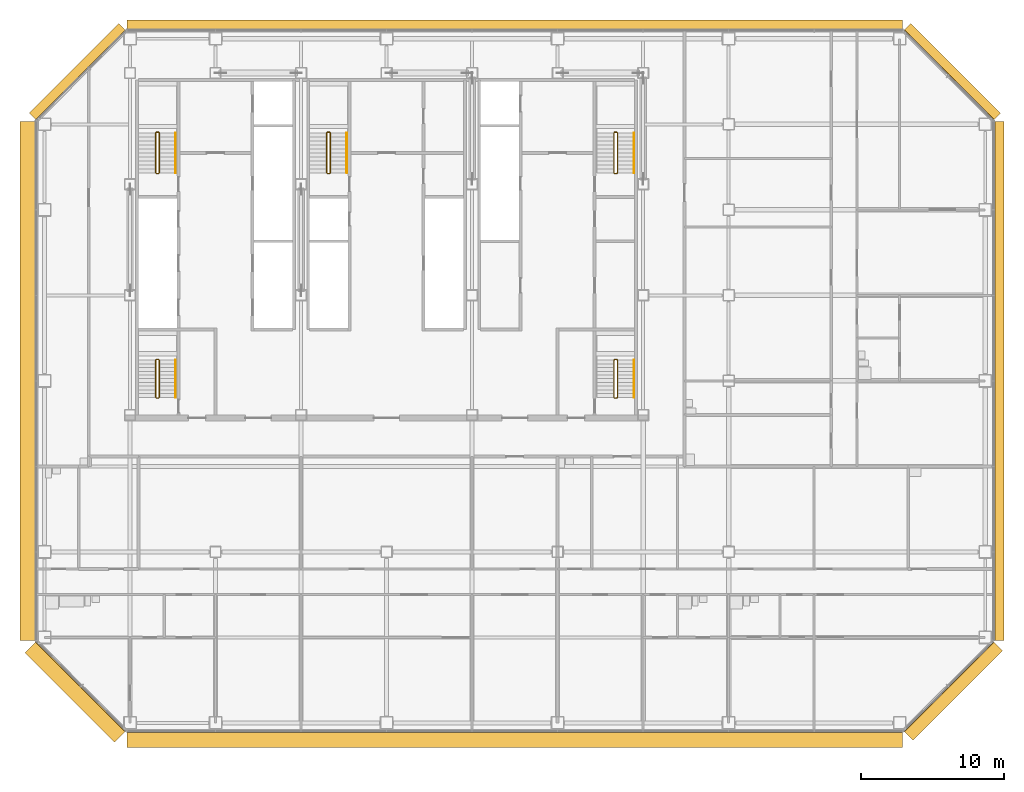
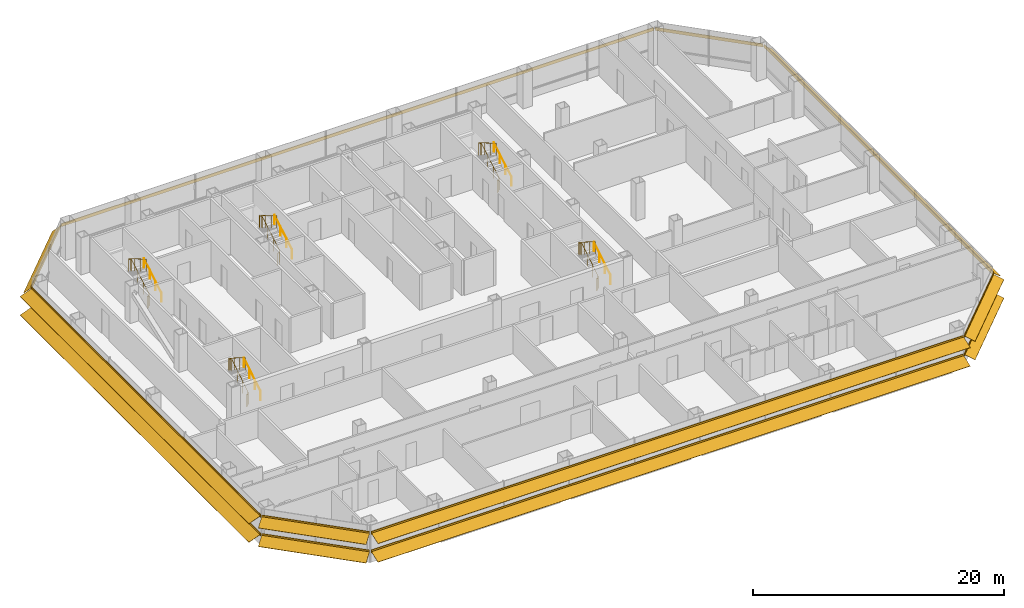
# One storey, part 26 of 27: 10 railings, 8 shading devices.
"""IFC4 building model written with IfcOpenShell, lengths in metres."""

from ifc_helpers import new_model, si_unit, direction, frame, origin, origin_2d, place, context, subcontext, project, spatial, polyline, circle, outline, composite_profile, extrude, material, type_object, element, save


model = new_model("IFC4")

# Units and contexts
model_context = context("Model", 3, precision=1e-05, world=origin(), true_north=direction((0.0, 1.0)))
body_context = subcontext(model_context, "Body", "Model", "MODEL_VIEW")
ifc_project = project(units=[si_unit("LENGTHUNIT", "METRE"), si_unit("AREAUNIT", "SQUARE_METRE"), si_unit("VOLUMEUNIT", "CUBIC_METRE"), si_unit("PLANEANGLEUNIT", "RADIAN"), si_unit("MASSUNIT", "GRAM", prefix="KILO")], contexts=[model_context])

# Site, building, storey
site_placement = place(None, origin())
site = spatial("IfcSite", under=ifc_project, at=site_placement, CompositionType="ELEMENT")
building_placement = place(site_placement, origin())
building = spatial("IfcBuilding", under=site, at=building_placement, Name="Sorahane Residences", CompositionType="ELEMENT")
storey_placement = place(building_placement, frame((0.0, 0.0, 49.800048828125)))
storey = spatial("IfcBuildingStorey", under=building, at=storey_placement, Name="L08", CompositionType="ELEMENT", Elevation=49.800048828125)

# Shading devices
ifc_material_1 = material(Name="Terracotta anodised aluminium", Category="masonry")
shading_device_type_1 = type_object("IfcShadingDeviceType", Name="Louvre sunshade blade E terracotta aluminium 700", PredefinedType="JALOUSIE", material=ifc_material_1)
shading_device_1_placement = place(storey_placement, frame((66.60009765625, 5.801513671875, 2.699951171875), z_axis=(0.0, 1.0, 0.0), x_axis=(-1.0, 0.0, 0.0)))
element("IfcShadingDevice", 1, at=shading_device_1_placement, inside=storey, type_object=shading_device_type_1, Name="Louvre sunshade blade bank E L08 E1", PredefinedType="JALOUSIE", context=body_context, shape_type="SweptSolid", body=[
    extrude(outline(polyline([(-0.719970703125, -0.49365234375), (-0.719970703125, -0.523681640625), (-0.080078125, -0.05859375), (-0.080078125, -0.14990234375), (-0.02001953125, -0.14990234375), (-0.02001953125, -0.014892578125), (-0.02001953125, 0.014892578125), (-0.02001953125, 0.14990234375), (-0.080078125, 0.14990234375), (-0.080078125, -0.028564453125), (-0.719970703125, -0.49365234375)])), origin(), (0.0, 0.0, 1.0), 36.39697265625),
])
ifc_material_2 = material(Name="Terracotta anodised aluminium", Category="masonry")
shading_device_type_2 = type_object("IfcShadingDeviceType", Name="Louvre sunshade blade N terracotta aluminium 700", PredefinedType="JALOUSIE", material=ifc_material_2)
shading_device_2_placement = place(storey_placement, frame((60.198486328125, 48.60009765625, 2.699951171875), z_axis=(-1.0, 0.0, 0.0), x_axis=(0.0, -1.0, 0.0)))
element("IfcShadingDevice", 2, at=shading_device_2_placement, inside=storey, type_object=shading_device_type_2, Name="Louvre sunshade blade bank N L08 N1", PredefinedType="JALOUSIE", context=body_context, shape_type="SweptSolid", body=[
    extrude(outline(polyline([(-0.719970703125, -0.660888671875), (-0.719970703125, -0.69091796875), (-0.080078125, -0.072998046875), (-0.080078125, -0.14990234375), (-0.02001953125, -0.14990234375), (-0.02001953125, -0.014892578125), (-0.02001953125, 0.014892578125), (-0.02001953125, 0.14990234375), (-0.080078125, 0.14990234375), (-0.080078125, -0.04296875), (-0.719970703125, -0.660888671875)])), origin(), (0.0, 0.0, 1.0), 54.39697265625),
])
ifc_material_3 = material(Name="Terracotta anodised aluminium", Category="masonry")
shading_device_type_3 = type_object("IfcShadingDeviceType", Name="Louvre sunshade blade NE terracotta aluminium 700", PredefinedType="JALOUSIE", material=ifc_material_3)
shading_device_3_placement = place(storey_placement, frame((66.564697265625, 42.283935546875, 2.699951171875), z_axis=(-0.707106781187, 0.707106781187, 0.0), x_axis=(-0.707106781187, -0.707106781187, 0.0)))
element("IfcShadingDevice", 3, at=shading_device_3_placement, inside=storey, type_object=shading_device_type_3, Name="Louvre sunshade blade bank NE L08 NE1", PredefinedType="JALOUSIE", context=body_context, shape_type="SweptSolid", body=[
    extrude(outline(polyline([(-0.719970703125, -0.572509765625), (-0.719970703125, -0.602294921875), (-0.080078125, -0.065185546875), (-0.080078125, -0.14990234375), (-0.02001953125, -0.14990234375), (-0.02001953125, -0.014892578125), (-0.02001953125, 0.014892578125), (-0.02001953125, 0.14990234375), (-0.080078125, 0.14990234375), (-0.080078125, -0.035400390625), (-0.719970703125, -0.572509765625)])), origin(), (0.0, 0.0, 1.0), 8.88232421875),
])
ifc_material_4 = material(Name="Terracotta anodised aluminium", Category="masonry")
shading_device_type_4 = type_object("IfcShadingDeviceType", Name="Louvre sunshade blade NW terracotta aluminium 700", PredefinedType="JALOUSIE", material=ifc_material_4)
shading_device_4_placement = place(storey_placement, frame((5.716064453125, 48.564697265625, 2.699951171875), z_axis=(-0.707106781187, -0.707106781187, 0.0), x_axis=(0.707106781187, -0.707106781187, 0.0)))
element("IfcShadingDevice", 4, at=shading_device_4_placement, inside=storey, type_object=shading_device_type_4, Name="Louvre sunshade blade bank NW L08 NW1", PredefinedType="JALOUSIE", context=body_context, shape_type="SweptSolid", body=[
    extrude(outline(polyline([(-0.719970703125, -0.660888671875), (-0.719970703125, -0.69091796875), (-0.080078125, -0.072998046875), (-0.080078125, -0.14990234375), (-0.02001953125, -0.14990234375), (-0.02001953125, -0.014892578125), (-0.02001953125, 0.014892578125), (-0.02001953125, 0.14990234375), (-0.080078125, 0.14990234375), (-0.080078125, -0.04296875), (-0.719970703125, -0.660888671875)])), origin(), (0.0, 0.0, 1.0), 8.88232421875),
])
ifc_material_5 = material(Name="Terracotta anodised aluminium", Category="masonry")
shading_device_type_5 = type_object("IfcShadingDeviceType", Name="Louvre sunshade blade S terracotta aluminium 1100", PredefinedType="JALOUSIE", material=ifc_material_5)
shading_device_5_placement = place(storey_placement, frame((5.801513671875, -0.60009765625, 0.89990234375), z_axis=(1.0, 0.0, 0.0), x_axis=(0.0, 1.0, 0.0)))
element("IfcShadingDevice", 5, at=shading_device_5_placement, inside=storey, type_object=shading_device_type_5, Name="Louvre sunshade blade bank S L08 S1", PredefinedType="JALOUSIE", context=body_context, shape_type="SweptSolid", body=[
    extrude(composite_profile([outline(polyline([(-1.1201171875, -0.385498046875), (-1.1201171875, -0.415283203125), (-0.080078125, -0.036865234375), (-0.080078125, -0.14990234375), (-0.02001953125, -0.14990234375), (-0.02001953125, -0.014892578125), (-0.02001953125, 0.014892578125), (-0.02001953125, 0.14990234375), (-0.080078125, 0.14990234375), (-0.080078125, -0.0068359375), (-1.1201171875, -0.385498046875)])), outline(polyline([(-1.1201171875, 1.41455078125), (-1.1201171875, 1.384521484375), (-0.080078125, 1.76318359375), (-0.080078125, 1.64990234375), (-0.02001953125, 1.64990234375), (-0.02001953125, 1.784912109375), (-0.02001953125, 1.81494140625), (-0.02001953125, 1.949951171875), (-0.080078125, 1.949951171875), (-0.080078125, 1.793212890625), (-1.1201171875, 1.41455078125)]))]), origin(), (0.0, 0.0, 1.0), 54.39697265625),
])
ifc_material_6 = material(Name="Terracotta anodised aluminium", Category="masonry")
shading_device_type_6 = type_object("IfcShadingDeviceType", Name="Louvre sunshade blade SE terracotta aluminium 900", PredefinedType="JALOUSIE", material=ifc_material_6)
shading_device_6_placement = place(storey_placement, frame((60.283935546875, -0.564697265625, 0.89990234375), z_axis=(0.707106781187, 0.707106781187, 0.0), x_axis=(-0.707106781187, 0.707106781187, 0.0)))
element("IfcShadingDevice", 6, at=shading_device_6_placement, inside=storey, type_object=shading_device_type_6, Name="Louvre sunshade blade bank SE L08 SE1", PredefinedType="JALOUSIE", context=body_context, shape_type="SweptSolid", body=[
    extrude(composite_profile([outline(polyline([(-0.919921875, -0.3486328125), (-0.919921875, -0.378662109375), (-0.080078125, -0.039306640625), (-0.080078125, -0.14990234375), (-0.02001953125, -0.14990234375), (-0.02001953125, -0.014892578125), (-0.02001953125, 0.014892578125), (-0.02001953125, 0.14990234375), (-0.080078125, 0.14990234375), (-0.080078125, -0.00927734375), (-0.919921875, -0.3486328125)])), outline(polyline([(-0.919921875, 1.451416015625), (-0.919921875, 1.42138671875), (-0.080078125, 1.7607421875), (-0.080078125, 1.64990234375), (-0.02001953125, 1.64990234375), (-0.02001953125, 1.784912109375), (-0.02001953125, 1.81494140625), (-0.02001953125, 1.949951171875), (-0.080078125, 1.949951171875), (-0.080078125, 1.790771484375), (-0.919921875, 1.451416015625)]))]), origin(), (0.0, 0.0, 1.0), 8.88232421875),
])
ifc_material_7 = material(Name="Terracotta anodised aluminium", Category="masonry")
shading_device_type_7 = type_object("IfcShadingDeviceType", Name="Louvre sunshade blade SW terracotta aluminium 1100", PredefinedType="JALOUSIE", material=ifc_material_7)
shading_device_7_placement = place(storey_placement, frame((-0.564697265625, 5.716064453125, 0.89990234375), z_axis=(0.707106781187, -0.707106781187, 0.0), x_axis=(0.707106781187, 0.707106781187, 0.0)))
element("IfcShadingDevice", 7, at=shading_device_7_placement, inside=storey, type_object=shading_device_type_7, Name="Louvre sunshade blade bank SW L08 SW1", PredefinedType="JALOUSIE", context=body_context, shape_type="SweptSolid", body=[
    extrude(composite_profile([outline(polyline([(-1.1201171875, -0.385498046875), (-1.1201171875, -0.415283203125), (-0.080078125, -0.036865234375), (-0.080078125, -0.14990234375), (-0.02001953125, -0.14990234375), (-0.02001953125, -0.014892578125), (-0.02001953125, 0.014892578125), (-0.02001953125, 0.14990234375), (-0.080078125, 0.14990234375), (-0.080078125, -0.0068359375), (-1.1201171875, -0.385498046875)])), outline(polyline([(-1.1201171875, 1.41455078125), (-1.1201171875, 1.384521484375), (-0.080078125, 1.76318359375), (-0.080078125, 1.64990234375), (-0.02001953125, 1.64990234375), (-0.02001953125, 1.784912109375), (-0.02001953125, 1.81494140625), (-0.02001953125, 1.949951171875), (-0.080078125, 1.949951171875), (-0.080078125, 1.793212890625), (-1.1201171875, 1.41455078125)]))]), origin(), (0.0, 0.0, 1.0), 8.88232421875),
])
ifc_material_8 = material(Name="Terracotta anodised aluminium", Category="masonry")
shading_device_type_8 = type_object("IfcShadingDeviceType", Name="Louvre sunshade blade W terracotta aluminium 1100", PredefinedType="JALOUSIE", material=ifc_material_8)
shading_device_8_placement = place(storey_placement, frame((-0.60009765625, 42.198486328125, 0.89990234375), z_axis=(0.0, -1.0, 0.0), x_axis=(1.0, 0.0, 0.0)))
element("IfcShadingDevice", 8, at=shading_device_8_placement, inside=storey, type_object=shading_device_type_8, Name="Louvre sunshade blade bank W L08 W1", PredefinedType="JALOUSIE", context=body_context, shape_type="SweptSolid", body=[
    extrude(composite_profile([outline(polyline([(-1.1201171875, -0.385498046875), (-1.1201171875, -0.415283203125), (-0.080078125, -0.036865234375), (-0.080078125, -0.14990234375), (-0.02001953125, -0.14990234375), (-0.02001953125, -0.014892578125), (-0.02001953125, 0.014892578125), (-0.02001953125, 0.14990234375), (-0.080078125, 0.14990234375), (-0.080078125, -0.0068359375), (-1.1201171875, -0.385498046875)])), outline(polyline([(-1.1201171875, 1.41455078125), (-1.1201171875, 1.384521484375), (-0.080078125, 1.76318359375), (-0.080078125, 1.64990234375), (-0.02001953125, 1.64990234375), (-0.02001953125, 1.784912109375), (-0.02001953125, 1.81494140625), (-0.02001953125, 1.949951171875), (-0.080078125, 1.949951171875), (-0.080078125, 1.793212890625), (-1.1201171875, 1.41455078125)]))]), origin(), (0.0, 0.0, 1.0), 36.39697265625),
])

# Railings
ifc_material_9 = material(Name="Steel Q355B", Category="steel")
railing_type_1 = type_object("IfcRailingType", Name="Stair guard 1200 Steel Q355B", PredefinedType="GUARDRAIL", material=ifc_material_9)
railing_1_placement = place(storey_placement, frame((7.85009765625, 38.550048828125, 0.0)))
element("IfcRailing", 9, at=railing_1_placement, inside=storey, type_object=railing_type_1, Name="L08 S1 stair guard 1", PredefinedType="GUARDRAIL", context=body_context, shape_type="SweptSolid", body=[
    extrude(circle(Radius=0.02392578125, at=origin_2d()), frame((0.0, 0.0, 1.17578125), z_axis=(1.0, 0.0, 0.0), x_axis=(0.0, 1.0, 0.0)), (0.0, 0.0, 1.0), 0.14990234375),
    extrude(circle(Radius=0.02392578125, at=origin_2d()), frame((0.14990234375, 0.0, 1.17578125), z_axis=(0.280808744504, 0.280808744504, 0.917765164963), x_axis=(-0.707106781187, 0.707106781187, 0.0)), (0.0, 0.0, 1.0), 0.17822265625),
    extrude(circle(Radius=0.02392578125, at=origin_2d()), frame((0.199951171875, 0.050048828125, 1.33935546875), z_axis=(0.0, 0.863341702679, 0.504619762213), x_axis=(-1.0, 0.0, 0.0)), (0.0, 0.0, 1.0), 3.242919921875),
    extrude(circle(Radius=0.02392578125, at=origin_2d()), frame((0.199951171875, 2.849853515625, 2.97607421875), z_axis=(-0.707106781187, 0.707106781187, 0.0), x_axis=(-0.707106781187, -0.707106781187, 0.0)), (0.0, 0.0, 1.0), 0.07080078125),
    extrude(circle(Radius=0.02392578125, at=origin_2d()), frame((0.14990234375, 2.89990234375, 2.97607421875), z_axis=(-1.0, 0.0, 0.0), x_axis=(0.0, -1.0, 0.0)), (0.0, 0.0, 1.0), 0.14990234375),
    extrude(circle(Radius=0.02392578125, at=origin_2d()), frame((0.0, 2.89990234375, 2.97607421875), z_axis=(-0.280808744504, -0.280808744504, 0.917765164963), x_axis=(0.707106781187, -0.707106781187, 0.0)), (0.0, 0.0, 1.0), 0.17822265625),
    extrude(circle(Radius=0.02392578125, at=origin_2d()), frame((-0.050048828125, 2.849853515625, 3.1396484375), z_axis=(0.0, -0.863374499697, 0.504563646405), x_axis=(1.0, 0.0, 0.0)), (0.0, 0.0, 1.0), 3.242919921875),
    extrude(circle(Radius=0.02099609375, at=origin_2d()), origin(), (0.0, 0.0, 1.0), 1.15185546875),
    extrude(circle(Radius=0.02099609375, at=origin_2d()), frame((0.14990234375, 0.0, 0.0)), (0.0, 0.0, 1.0), 1.15185546875),
    extrude(circle(Radius=0.02099609375, at=origin_2d()), frame((0.199951171875, 0.050048828125, 0.16357421875)), (0.0, 0.0, 1.0), 1.15185546875),
    extrude(circle(Radius=0.02099609375, at=origin_2d()), frame((0.199951171875, 0.9833984375, 0.708984375)), (0.0, 0.0, 1.0), 1.15185546875),
    extrude(circle(Radius=0.02099609375, at=origin_2d()), frame((0.199951171875, 1.91650390625, 1.254638671875)), (0.0, 0.0, 1.0), 1.15185546875),
    extrude(circle(Radius=0.02099609375, at=origin_2d()), frame((0.199951171875, 2.849853515625, 1.800048828125)), (0.0, 0.0, 1.0), 1.15185546875),
    extrude(circle(Radius=0.02099609375, at=origin_2d()), frame((0.14990234375, 2.89990234375, 1.800048828125)), (0.0, 0.0, 1.0), 1.15185546875),
    extrude(circle(Radius=0.02099609375, at=origin_2d()), frame((0.0, 2.89990234375, 1.800048828125)), (0.0, 0.0, 1.0), 1.15185546875),
    extrude(circle(Radius=0.02099609375, at=origin_2d()), frame((-0.050048828125, 2.849853515625, 1.963623046875)), (0.0, 0.0, 1.0), 1.15185546875),
    extrude(circle(Radius=0.02099609375, at=origin_2d()), frame((-0.050048828125, 1.91650390625, 2.509033203125)), (0.0, 0.0, 1.0), 1.15185546875),
    extrude(circle(Radius=0.02099609375, at=origin_2d()), frame((-0.050048828125, 0.9833984375, 3.054443359375)), (0.0, 0.0, 1.0), 1.15185546875),
    extrude(circle(Radius=0.02099609375, at=origin_2d()), frame((-0.050048828125, 0.050048828125, 3.599853515625)), (0.0, 0.0, 1.0), 1.15185546875),
])
railing_2_placement = place(storey_placement, frame((40.0, 38.550048828125, 0.0)))
element("IfcRailing", 10, at=railing_2_placement, inside=storey, type_object=railing_type_1, Name="L08 S2 stair guard 1", PredefinedType="GUARDRAIL", context=body_context, shape_type="SweptSolid", body=[
    extrude(circle(Radius=0.02392578125, at=origin_2d()), frame((0.0, 0.0, 1.17578125), z_axis=(1.0, 0.0, 0.0), x_axis=(0.0, 1.0, 0.0)), (0.0, 0.0, 1.0), 0.14990234375),
    extrude(circle(Radius=0.02392578125, at=origin_2d()), frame((0.14990234375, 0.0, 1.17578125), z_axis=(0.280808744504, 0.280808744504, 0.917765164963), x_axis=(-0.707106781187, 0.707106781187, 0.0)), (0.0, 0.0, 1.0), 0.17822265625),
    extrude(circle(Radius=0.02392578125, at=origin_2d()), frame((0.199951171875, 0.050048828125, 1.33935546875), z_axis=(0.0, 0.863341702679, 0.504619762213), x_axis=(-1.0, 0.0, 0.0)), (0.0, 0.0, 1.0), 3.242919921875),
    extrude(circle(Radius=0.02392578125, at=origin_2d()), frame((0.199951171875, 2.849853515625, 2.97607421875), z_axis=(-0.707106781187, 0.707106781187, 0.0), x_axis=(-0.707106781187, -0.707106781187, 0.0)), (0.0, 0.0, 1.0), 0.07080078125),
    extrude(circle(Radius=0.02392578125, at=origin_2d()), frame((0.14990234375, 2.89990234375, 2.97607421875), z_axis=(-1.0, 0.0, 0.0), x_axis=(0.0, -1.0, 0.0)), (0.0, 0.0, 1.0), 0.14990234375),
    extrude(circle(Radius=0.02392578125, at=origin_2d()), frame((0.0, 2.89990234375, 2.97607421875), z_axis=(-0.280808744504, -0.280808744504, 0.917765164963), x_axis=(0.707106781187, -0.707106781187, 0.0)), (0.0, 0.0, 1.0), 0.17822265625),
    extrude(circle(Radius=0.02392578125, at=origin_2d()), frame((-0.050048828125, 2.849853515625, 3.1396484375), z_axis=(0.0, -0.863374499697, 0.504563646405), x_axis=(1.0, 0.0, 0.0)), (0.0, 0.0, 1.0), 3.242919921875),
    extrude(circle(Radius=0.02099609375, at=origin_2d()), origin(), (0.0, 0.0, 1.0), 1.15185546875),
    extrude(circle(Radius=0.02099609375, at=origin_2d()), frame((0.14990234375, 0.0, 0.0)), (0.0, 0.0, 1.0), 1.15185546875),
    extrude(circle(Radius=0.02099609375, at=origin_2d()), frame((0.199951171875, 0.050048828125, 0.16357421875)), (0.0, 0.0, 1.0), 1.15185546875),
    extrude(circle(Radius=0.02099609375, at=origin_2d()), frame((0.199951171875, 0.9833984375, 0.708984375)), (0.0, 0.0, 1.0), 1.15185546875),
    extrude(circle(Radius=0.02099609375, at=origin_2d()), frame((0.199951171875, 1.91650390625, 1.254638671875)), (0.0, 0.0, 1.0), 1.15185546875),
    extrude(circle(Radius=0.02099609375, at=origin_2d()), frame((0.199951171875, 2.849853515625, 1.800048828125)), (0.0, 0.0, 1.0), 1.15185546875),
    extrude(circle(Radius=0.02099609375, at=origin_2d()), frame((0.14990234375, 2.89990234375, 1.800048828125)), (0.0, 0.0, 1.0), 1.15185546875),
    extrude(circle(Radius=0.02099609375, at=origin_2d()), frame((0.0, 2.89990234375, 1.800048828125)), (0.0, 0.0, 1.0), 1.15185546875),
    extrude(circle(Radius=0.02099609375, at=origin_2d()), frame((-0.050048828125, 2.849853515625, 1.963623046875)), (0.0, 0.0, 1.0), 1.15185546875),
    extrude(circle(Radius=0.02099609375, at=origin_2d()), frame((-0.050048828125, 1.91650390625, 2.509033203125)), (0.0, 0.0, 1.0), 1.15185546875),
    extrude(circle(Radius=0.02099609375, at=origin_2d()), frame((-0.050048828125, 0.9833984375, 3.054443359375)), (0.0, 0.0, 1.0), 1.15185546875),
    extrude(circle(Radius=0.02099609375, at=origin_2d()), frame((-0.050048828125, 0.050048828125, 3.599853515625)), (0.0, 0.0, 1.0), 1.15185546875),
])
railing_3_placement = place(storey_placement, frame((19.85009765625, 38.550048828125, 0.0)))
element("IfcRailing", 11, at=railing_3_placement, inside=storey, type_object=railing_type_1, Name="L08 S3 stair guard 1", PredefinedType="GUARDRAIL", context=body_context, shape_type="SweptSolid", body=[
    extrude(circle(Radius=0.02392578125, at=origin_2d()), frame((0.0, 0.0, 1.17578125), z_axis=(1.0, 0.0, 0.0), x_axis=(0.0, 1.0, 0.0)), (0.0, 0.0, 1.0), 0.14990234375),
    extrude(circle(Radius=0.02392578125, at=origin_2d()), frame((0.14990234375, 0.0, 1.17578125), z_axis=(0.280808744504, 0.280808744504, 0.917765164963), x_axis=(-0.707106781187, 0.707106781187, 0.0)), (0.0, 0.0, 1.0), 0.17822265625),
    extrude(circle(Radius=0.02392578125, at=origin_2d()), frame((0.199951171875, 0.050048828125, 1.33935546875), z_axis=(0.0, 0.863341702679, 0.504619762213), x_axis=(-1.0, 0.0, 0.0)), (0.0, 0.0, 1.0), 3.242919921875),
    extrude(circle(Radius=0.02392578125, at=origin_2d()), frame((0.199951171875, 2.849853515625, 2.97607421875), z_axis=(-0.707106781187, 0.707106781187, 0.0), x_axis=(-0.707106781187, -0.707106781187, 0.0)), (0.0, 0.0, 1.0), 0.07080078125),
    extrude(circle(Radius=0.02392578125, at=origin_2d()), frame((0.14990234375, 2.89990234375, 2.97607421875), z_axis=(-1.0, 0.0, 0.0), x_axis=(0.0, -1.0, 0.0)), (0.0, 0.0, 1.0), 0.14990234375),
    extrude(circle(Radius=0.02392578125, at=origin_2d()), frame((0.0, 2.89990234375, 2.97607421875), z_axis=(-0.280808744504, -0.280808744504, 0.917765164963), x_axis=(0.707106781187, -0.707106781187, 0.0)), (0.0, 0.0, 1.0), 0.17822265625),
    extrude(circle(Radius=0.02392578125, at=origin_2d()), frame((-0.050048828125, 2.849853515625, 3.1396484375), z_axis=(0.0, -0.863374499697, 0.504563646405), x_axis=(1.0, 0.0, 0.0)), (0.0, 0.0, 1.0), 3.242919921875),
    extrude(circle(Radius=0.02099609375, at=origin_2d()), origin(), (0.0, 0.0, 1.0), 1.15185546875),
    extrude(circle(Radius=0.02099609375, at=origin_2d()), frame((0.14990234375, 0.0, 0.0)), (0.0, 0.0, 1.0), 1.15185546875),
    extrude(circle(Radius=0.02099609375, at=origin_2d()), frame((0.199951171875, 0.050048828125, 0.16357421875)), (0.0, 0.0, 1.0), 1.15185546875),
    extrude(circle(Radius=0.02099609375, at=origin_2d()), frame((0.199951171875, 0.9833984375, 0.708984375)), (0.0, 0.0, 1.0), 1.15185546875),
    extrude(circle(Radius=0.02099609375, at=origin_2d()), frame((0.199951171875, 1.91650390625, 1.254638671875)), (0.0, 0.0, 1.0), 1.15185546875),
    extrude(circle(Radius=0.02099609375, at=origin_2d()), frame((0.199951171875, 2.849853515625, 1.800048828125)), (0.0, 0.0, 1.0), 1.15185546875),
    extrude(circle(Radius=0.02099609375, at=origin_2d()), frame((0.14990234375, 2.89990234375, 1.800048828125)), (0.0, 0.0, 1.0), 1.15185546875),
    extrude(circle(Radius=0.02099609375, at=origin_2d()), frame((0.0, 2.89990234375, 1.800048828125)), (0.0, 0.0, 1.0), 1.15185546875),
    extrude(circle(Radius=0.02099609375, at=origin_2d()), frame((-0.050048828125, 2.849853515625, 1.963623046875)), (0.0, 0.0, 1.0), 1.15185546875),
    extrude(circle(Radius=0.02099609375, at=origin_2d()), frame((-0.050048828125, 1.91650390625, 2.509033203125)), (0.0, 0.0, 1.0), 1.15185546875),
    extrude(circle(Radius=0.02099609375, at=origin_2d()), frame((-0.050048828125, 0.9833984375, 3.054443359375)), (0.0, 0.0, 1.0), 1.15185546875),
    extrude(circle(Radius=0.02099609375, at=origin_2d()), frame((-0.050048828125, 0.050048828125, 3.599853515625)), (0.0, 0.0, 1.0), 1.15185546875),
])
railing_4_placement = place(storey_placement, frame((7.85009765625, 22.800048828125, 0.0)))
element("IfcRailing", 12, at=railing_4_placement, inside=storey, type_object=railing_type_1, Name="L08 S4 stair guard 1", PredefinedType="GUARDRAIL", context=body_context, shape_type="SweptSolid", body=[
    extrude(circle(Radius=0.02392578125, at=origin_2d()), frame((0.0, 0.0, 1.17578125), z_axis=(1.0, 0.0, 0.0), x_axis=(0.0, 1.0, 0.0)), (0.0, 0.0, 1.0), 0.14990234375),
    extrude(circle(Radius=0.02392578125, at=origin_2d()), frame((0.14990234375, 0.0, 1.17578125), z_axis=(0.280808744504, 0.280808744504, 0.917765164963), x_axis=(-0.707106781187, 0.707106781187, 0.0)), (0.0, 0.0, 1.0), 0.17822265625),
    extrude(circle(Radius=0.02392578125, at=origin_2d()), frame((0.199951171875, 0.050048828125, 1.33935546875), z_axis=(0.0, 0.846301844409, 0.532703658848), x_axis=(-1.0, 0.0, 0.0)), (0.0, 0.0, 1.0), 3.072021484375),
    extrude(circle(Radius=0.02392578125, at=origin_2d()), frame((0.199951171875, 2.64990234375, 2.97607421875), z_axis=(-0.707106781187, 0.707106781187, 0.0), x_axis=(-0.707106781187, -0.707106781187, 0.0)), (0.0, 0.0, 1.0), 0.07080078125),
    extrude(circle(Radius=0.02392578125, at=origin_2d()), frame((0.14990234375, 2.699951171875, 2.97607421875), z_axis=(-1.0, 0.0, 0.0), x_axis=(0.0, -1.0, 0.0)), (0.0, 0.0, 1.0), 0.14990234375),
    extrude(circle(Radius=0.02392578125, at=origin_2d()), frame((0.0, 2.699951171875, 2.97607421875), z_axis=(-0.280808744504, -0.280808744504, 0.917765164963), x_axis=(0.707106781187, -0.707106781187, 0.0)), (0.0, 0.0, 1.0), 0.17822265625),
    extrude(circle(Radius=0.02392578125, at=origin_2d()), frame((-0.050048828125, 2.64990234375, 3.1396484375), z_axis=(0.0, -0.846337672412, 0.532646734952), x_axis=(1.0, 0.0, 0.0)), (0.0, 0.0, 1.0), 3.07177734375),
    extrude(circle(Radius=0.02099609375, at=origin_2d()), origin(), (0.0, 0.0, 1.0), 1.15185546875),
    extrude(circle(Radius=0.02099609375, at=origin_2d()), frame((0.14990234375, 0.0, 0.0)), (0.0, 0.0, 1.0), 1.15185546875),
    extrude(circle(Radius=0.02099609375, at=origin_2d()), frame((0.199951171875, 0.050048828125, 0.16357421875)), (0.0, 0.0, 1.0), 1.15185546875),
    extrude(circle(Radius=0.02099609375, at=origin_2d()), frame((0.199951171875, 0.916748046875, 0.708984375)), (0.0, 0.0, 1.0), 1.15185546875),
    extrude(circle(Radius=0.02099609375, at=origin_2d()), frame((0.199951171875, 1.783203125, 1.254638671875)), (0.0, 0.0, 1.0), 1.15185546875),
    extrude(circle(Radius=0.02099609375, at=origin_2d()), frame((0.199951171875, 2.64990234375, 1.800048828125)), (0.0, 0.0, 1.0), 1.15185546875),
    extrude(circle(Radius=0.02099609375, at=origin_2d()), frame((0.14990234375, 2.699951171875, 1.800048828125)), (0.0, 0.0, 1.0), 1.15185546875),
    extrude(circle(Radius=0.02099609375, at=origin_2d()), frame((0.0, 2.699951171875, 1.800048828125)), (0.0, 0.0, 1.0), 1.15185546875),
    extrude(circle(Radius=0.02099609375, at=origin_2d()), frame((-0.050048828125, 2.64990234375, 1.963623046875)), (0.0, 0.0, 1.0), 1.15185546875),
    extrude(circle(Radius=0.02099609375, at=origin_2d()), frame((-0.050048828125, 1.783203125, 2.509033203125)), (0.0, 0.0, 1.0), 1.15185546875),
    extrude(circle(Radius=0.02099609375, at=origin_2d()), frame((-0.050048828125, 0.916748046875, 3.054443359375)), (0.0, 0.0, 1.0), 1.15185546875),
    extrude(circle(Radius=0.02099609375, at=origin_2d()), frame((-0.050048828125, 0.050048828125, 3.599853515625)), (0.0, 0.0, 1.0), 1.15185546875),
])
railing_5_placement = place(storey_placement, frame((40.0, 22.800048828125, 0.0)))
element("IfcRailing", 13, at=railing_5_placement, inside=storey, type_object=railing_type_1, Name="L08 S5 stair guard 1", PredefinedType="GUARDRAIL", context=body_context, shape_type="SweptSolid", body=[
    extrude(circle(Radius=0.02392578125, at=origin_2d()), frame((0.0, 0.0, 1.17578125), z_axis=(1.0, 0.0, 0.0), x_axis=(0.0, 1.0, 0.0)), (0.0, 0.0, 1.0), 0.14990234375),
    extrude(circle(Radius=0.02392578125, at=origin_2d()), frame((0.14990234375, 0.0, 1.17578125), z_axis=(0.280808744504, 0.280808744504, 0.917765164963), x_axis=(-0.707106781187, 0.707106781187, 0.0)), (0.0, 0.0, 1.0), 0.17822265625),
    extrude(circle(Radius=0.02392578125, at=origin_2d()), frame((0.199951171875, 0.050048828125, 1.33935546875), z_axis=(0.0, 0.846301844409, 0.532703658848), x_axis=(-1.0, 0.0, 0.0)), (0.0, 0.0, 1.0), 3.072021484375),
    extrude(circle(Radius=0.02392578125, at=origin_2d()), frame((0.199951171875, 2.64990234375, 2.97607421875), z_axis=(-0.707106781187, 0.707106781187, 0.0), x_axis=(-0.707106781187, -0.707106781187, 0.0)), (0.0, 0.0, 1.0), 0.07080078125),
    extrude(circle(Radius=0.02392578125, at=origin_2d()), frame((0.14990234375, 2.699951171875, 2.97607421875), z_axis=(-1.0, 0.0, 0.0), x_axis=(0.0, -1.0, 0.0)), (0.0, 0.0, 1.0), 0.14990234375),
    extrude(circle(Radius=0.02392578125, at=origin_2d()), frame((0.0, 2.699951171875, 2.97607421875), z_axis=(-0.280808744504, -0.280808744504, 0.917765164963), x_axis=(0.707106781187, -0.707106781187, 0.0)), (0.0, 0.0, 1.0), 0.17822265625),
    extrude(circle(Radius=0.02392578125, at=origin_2d()), frame((-0.050048828125, 2.64990234375, 3.1396484375), z_axis=(0.0, -0.846337672412, 0.532646734952), x_axis=(1.0, 0.0, 0.0)), (0.0, 0.0, 1.0), 3.07177734375),
    extrude(circle(Radius=0.02099609375, at=origin_2d()), origin(), (0.0, 0.0, 1.0), 1.15185546875),
    extrude(circle(Radius=0.02099609375, at=origin_2d()), frame((0.14990234375, 0.0, 0.0)), (0.0, 0.0, 1.0), 1.15185546875),
    extrude(circle(Radius=0.02099609375, at=origin_2d()), frame((0.199951171875, 0.050048828125, 0.16357421875)), (0.0, 0.0, 1.0), 1.15185546875),
    extrude(circle(Radius=0.02099609375, at=origin_2d()), frame((0.199951171875, 0.916748046875, 0.708984375)), (0.0, 0.0, 1.0), 1.15185546875),
    extrude(circle(Radius=0.02099609375, at=origin_2d()), frame((0.199951171875, 1.783203125, 1.254638671875)), (0.0, 0.0, 1.0), 1.15185546875),
    extrude(circle(Radius=0.02099609375, at=origin_2d()), frame((0.199951171875, 2.64990234375, 1.800048828125)), (0.0, 0.0, 1.0), 1.15185546875),
    extrude(circle(Radius=0.02099609375, at=origin_2d()), frame((0.14990234375, 2.699951171875, 1.800048828125)), (0.0, 0.0, 1.0), 1.15185546875),
    extrude(circle(Radius=0.02099609375, at=origin_2d()), frame((0.0, 2.699951171875, 1.800048828125)), (0.0, 0.0, 1.0), 1.15185546875),
    extrude(circle(Radius=0.02099609375, at=origin_2d()), frame((-0.050048828125, 2.64990234375, 1.963623046875)), (0.0, 0.0, 1.0), 1.15185546875),
    extrude(circle(Radius=0.02099609375, at=origin_2d()), frame((-0.050048828125, 1.783203125, 2.509033203125)), (0.0, 0.0, 1.0), 1.15185546875),
    extrude(circle(Radius=0.02099609375, at=origin_2d()), frame((-0.050048828125, 0.916748046875, 3.054443359375)), (0.0, 0.0, 1.0), 1.15185546875),
    extrude(circle(Radius=0.02099609375, at=origin_2d()), frame((-0.050048828125, 0.050048828125, 3.599853515625)), (0.0, 0.0, 1.0), 1.15185546875),
])
ifc_material_10 = material(Name="Steel Q355B", Category="steel")
railing_type_2 = type_object("IfcRailingType", Name="Stair handrail 900 Steel Q355B", PredefinedType="HANDRAIL", material=ifc_material_10)
for number, where, name in (
    (14, (9.199951171875, 38.60009765625, 0.16357421875), "L08 S1 stair handrail 1"),
    (15, (41.35009765625, 38.60009765625, 0.16357421875), "L08 S2 stair handrail 1"),
    (16, (21.199951171875, 38.60009765625, 0.16357421875), "L08 S3 stair handrail 1"),
):
    element("IfcRailing", number, at=place(storey_placement, frame(where)), inside=storey, type_object=railing_type_2, Name=name, PredefinedType="HANDRAIL", context=body_context, shape_type="SweptSolid", body=[
        extrude(circle(Radius=0.02392578125, at=origin_2d()), frame((0.0, 0.0, 0.8759765625), z_axis=(0.0, 0.863341702679, 0.504619762213), x_axis=(-1.0, 0.0, 0.0)), (0.0, 0.0, 1.0), 3.242919921875),
        extrude(circle(Radius=0.02099609375, at=origin_2d()), origin(), (0.0, 0.0, 1.0), 0.851806640625),
        extrude(circle(Radius=0.02099609375, at=origin_2d()), frame((0.0, 0.933349609375, 0.54541015625)), (0.0, 0.0, 1.0), 0.851806640625),
        extrude(circle(Radius=0.02099609375, at=origin_2d()), frame((0.0, 1.866455078125, 1.091064453125)), (0.0, 0.0, 1.0), 0.851806640625),
        extrude(circle(Radius=0.02099609375, at=origin_2d()), frame((0.0, 2.7998046875, 1.636474609375)), (0.0, 0.0, 1.0), 0.851806640625),
    ])
for number, where, name in (
    (17, (9.199951171875, 22.85009765625, 0.16357421875), "L08 S4 stair handrail 1"),
    (18, (41.35009765625, 22.85009765625, 0.16357421875), "L08 S5 stair handrail 1"),
):
    element("IfcRailing", number, at=place(storey_placement, frame(where)), inside=storey, type_object=railing_type_2, Name=name, PredefinedType="HANDRAIL", context=body_context, shape_type="SweptSolid", body=[
        extrude(circle(Radius=0.02392578125, at=origin_2d()), frame((0.0, 0.0, 0.8759765625), z_axis=(0.0, 0.846301844409, 0.532703658848), x_axis=(-1.0, 0.0, 0.0)), (0.0, 0.0, 1.0), 3.072021484375),
        extrude(circle(Radius=0.02099609375, at=origin_2d()), origin(), (0.0, 0.0, 1.0), 0.851806640625),
        extrude(circle(Radius=0.02099609375, at=origin_2d()), frame((0.0, 0.86669921875, 0.54541015625)), (0.0, 0.0, 1.0), 0.851806640625),
        extrude(circle(Radius=0.02099609375, at=origin_2d()), frame((0.0, 1.733154296875, 1.091064453125)), (0.0, 0.0, 1.0), 0.851806640625),
        extrude(circle(Radius=0.02099609375, at=origin_2d()), frame((0.0, 2.599853515625, 1.636474609375)), (0.0, 0.0, 1.0), 0.851806640625),
    ])

save(model, "model.ifc")
